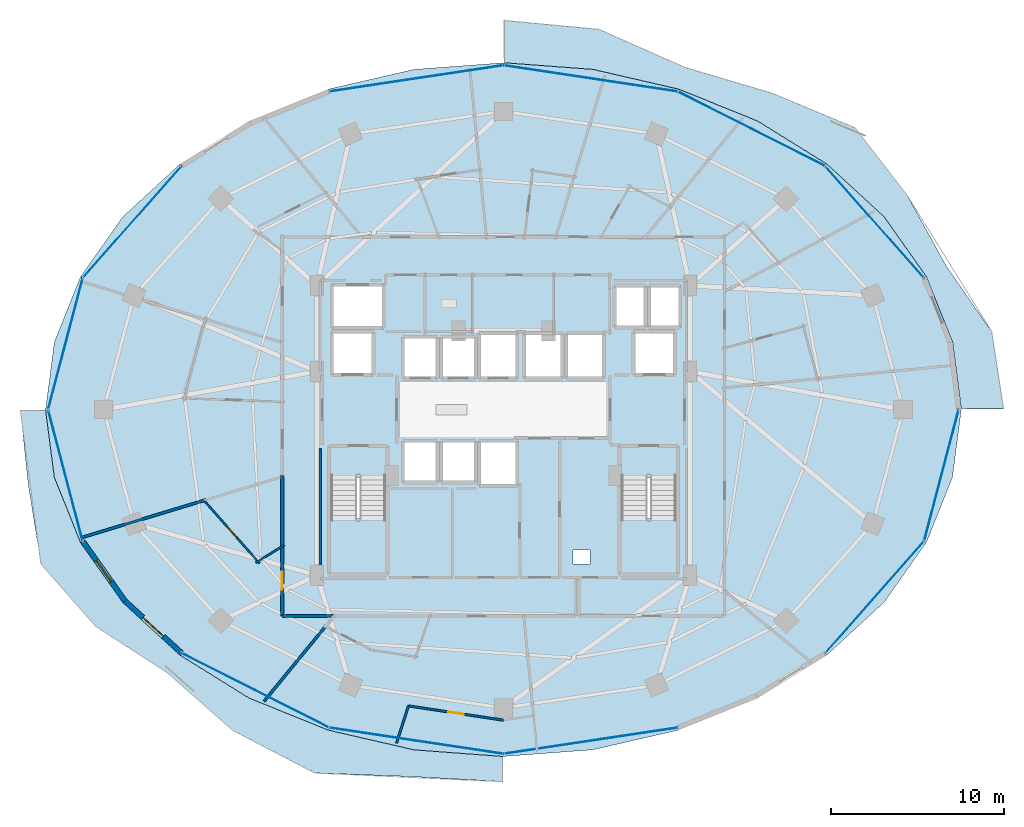
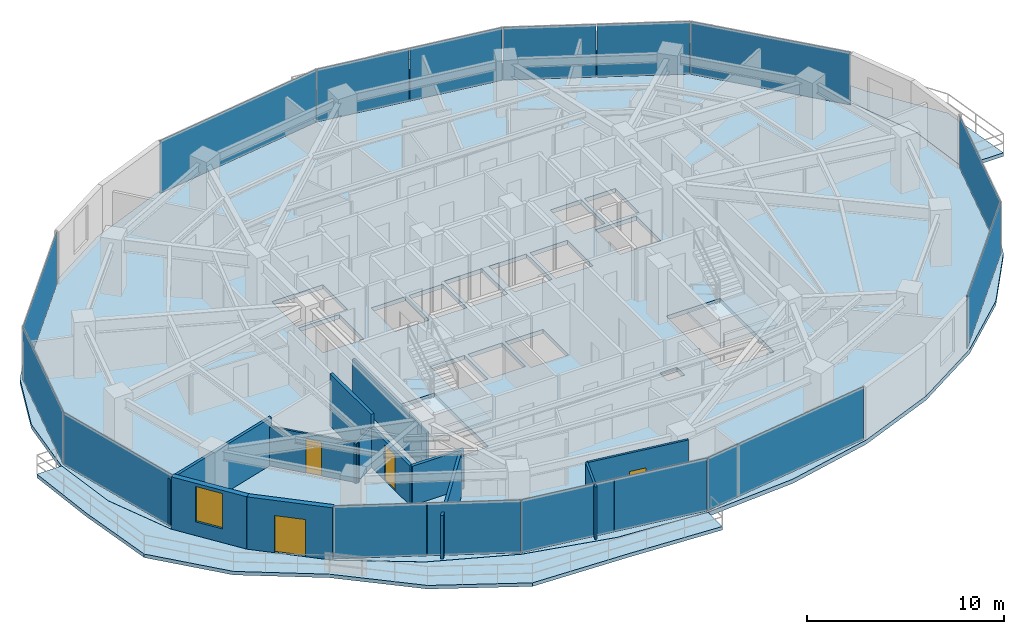
# One storey, part 21 of 29: 16 plates, 12 walls, 5 slabs, 4 doors, 1 window, 5 openings, 6 elements without a shape of their own.
"""IFC4 building model written with IfcOpenShell, lengths in metres."""

from ifc_helpers import new_model, si_unit, direction, frame, frame_2d, origin, origin_2d, place, context, subcontext, project, spatial, polyline, rectangle, outline, extrude, material, layer, layer_set, type_object, element, fill, aggregate, save


model = new_model("IFC4")

# Units and contexts
model_context = context("Model", 3, precision=1e-05, world=origin(), true_north=direction((0.0, 1.0)))
body_context = subcontext(model_context, "Body", "Model", "MODEL_VIEW")
ifc_project = project(units=[si_unit("LENGTHUNIT", "METRE"), si_unit("AREAUNIT", "SQUARE_METRE"), si_unit("VOLUMEUNIT", "CUBIC_METRE"), si_unit("PLANEANGLEUNIT", "RADIAN"), si_unit("MASSUNIT", "GRAM", prefix="KILO")], contexts=[model_context])

# Site, building, storey
site_placement = place(None, origin())
site = spatial("IfcSite", under=ifc_project, at=site_placement, CompositionType="ELEMENT")
building_placement = place(site_placement, origin())
building = spatial("IfcBuilding", under=site, at=building_placement, Name="Vorneva Point Tower", CompositionType="ELEMENT")
storey_placement = place(building_placement, frame((0.0, 0.0, 117.300048828125)))
storey = spatial("IfcBuildingStorey", under=building, at=storey_placement, Name="L31", CompositionType="ELEMENT", Elevation=117.300048828125)

# Curtain wall, plates
ifc_material_1 = material(Name="Pale anodised aluminium", Category="aluminium")
curtain_wall_type = type_object("IfcCurtainWallType", Name="CW-HTL-SYS", PredefinedType="NOTDEFINED", material=ifc_material_1)
curtain_wall_1_placement = place(storey_placement, origin())
curtain_wall_1 = element("IfcCurtainWall", 1, at=curtain_wall_1_placement, inside=storey, type_object=curtain_wall_type, Name="L31 Unitised Curtain Wall CW-L31-R01", PredefinedType="NOTDEFINED")
ifc_material_2 = material(Name="Double low-e laminated glass IGU", Category="glass")
ifc_layer_1 = layer(ifc_material_2, 0.035888671875)
ifc_layer_set_1 = layer_set([ifc_layer_1], Name="Double low-e laminated glass IGU")
plate_type = type_object("IfcPlateType", Name="CW-PNL-VIS", PredefinedType="CURTAIN_PANEL", material=ifc_layer_set_1)
plate_1_placement = place(storey_placement, frame((59.40673828125, 36.816162109375, -0.02001953125), z_axis=(0.0, 0.0, 1.0), x_axis=(-0.662149334693, 0.749371909379, 0.0)))
plate_1 = element("IfcPlate", 2, at=plate_1_placement, type_object=plate_type, Name="CW-L31-R01 Glazed Panel 01", PredefinedType="CURTAIN_PANEL", context=body_context, shape_type="SweptSolid", body=[
    extrude(rectangle(XDim=8.543701171875, YDim=0.035888671875, at=origin_2d()), origin(), (0.0, 0.0, 1.0), 3.280029296875),
])
plate_2_placement = place(storey_placement, frame((54.4326171875, 41.11181640625, -0.02001953125), z_axis=(0.0, 0.0, 1.0), x_axis=(-0.892538597772, 0.450971009585, 0.0)))
plate_2 = element("IfcPlate", 3, at=plate_2_placement, type_object=plate_type, Name="CW-L31-R01 Glazed Panel 02A", PredefinedType="CURTAIN_PANEL", context=body_context, shape_type="SweptSolid", body=[
    extrude(rectangle(XDim=4.720703125, YDim=0.035888671875, at=origin_2d()), origin(), (0.0, 0.0, 1.0), 3.280029296875),
])
plate_3_placement = place(storey_placement, frame((50.174560546875, 43.26318359375, -0.02001953125), z_axis=(0.0, 0.0, 1.0), x_axis=(-0.892538597772, 0.450971009585, 0.0)))
plate_3 = element("IfcPlate", 4, at=plate_3_placement, type_object=plate_type, Name="CW-L31-R01 Glazed Panel 02B", PredefinedType="CURTAIN_PANEL", context=body_context, shape_type="SweptSolid", body=[
    extrude(rectangle(XDim=4.720703125, YDim=0.035888671875, at=origin_2d()), origin(), (0.0, 0.0, 1.0), 3.280029296875),
])
plate_4_placement = place(storey_placement, frame((45.5341796875, 44.716796875, -0.02001953125), z_axis=(0.0, 0.0, 1.0), x_axis=(-0.988876117041, 0.148741470836, 0.0)))
plate_4 = element("IfcPlate", 5, at=plate_4_placement, type_object=plate_type, Name="CW-L31-R01 Glazed Panel 03A", PredefinedType="CURTAIN_PANEL", context=body_context, shape_type="SweptSolid", body=[
    extrude(rectangle(XDim=5.029296875, YDim=0.035888671875, at=origin_2d()), origin(), (0.0, 0.0, 1.0), 3.280029296875),
])
plate_5_placement = place(storey_placement, frame((40.511474609375, 45.472412109375, -0.02001953125), z_axis=(0.0, 0.0, 1.0), x_axis=(-0.988876117041, 0.148741470836, 0.0)))
plate_5 = element("IfcPlate", 6, at=plate_5_placement, type_object=plate_type, Name="CW-L31-R01 Glazed Panel 03B", PredefinedType="CURTAIN_PANEL", context=body_context, shape_type="SweptSolid", body=[
    extrude(rectangle(XDim=5.029296875, YDim=0.035888671875, at=origin_2d()), origin(), (0.0, 0.0, 1.0), 3.280029296875),
])
plate_6_placement = place(storey_placement, frame((32.977294921875, 45.094482421875, -0.02001953125), z_axis=(0.0, 0.0, 1.0), x_axis=(-0.988876117041, -0.148741470836, 0.0)))
plate_6 = element("IfcPlate", 7, at=plate_6_placement, type_object=plate_type, Name="CW-L31-R01 Glazed Panel 04", PredefinedType="CURTAIN_PANEL", context=body_context, shape_type="SweptSolid", body=[
    extrude(rectangle(XDim=10.1083984375, YDim=0.035888671875, at=origin_2d()), origin(), (0.0, 0.0, 1.0), 3.280029296875),
])
aggregate(curtain_wall_1, [plate_1, plate_2, plate_3, plate_4, plate_5, plate_6])

curtain_wall_2_placement = place(storey_placement, origin())
curtain_wall_2 = element("IfcCurtainWall", 8, at=curtain_wall_2_placement, inside=storey, type_object=curtain_wall_type, Name="L31 Unitised Curtain Wall CW-L31-R02", PredefinedType="NOTDEFINED")
plate_7_placement = place(storey_placement, frame((16.59326171875, 36.816162109375, -0.02001953125), z_axis=(0.0, 0.0, 1.0), x_axis=(-0.662149334693, -0.749371909379, 0.0)))
plate_7 = element("IfcPlate", 9, at=plate_7_placement, type_object=plate_type, Name="CW-L31-R02 Glazed Panel 01", PredefinedType="CURTAIN_PANEL", context=body_context, shape_type="SweptSolid", body=[
    extrude(rectangle(XDim=8.543701171875, YDim=0.035888671875, at=origin_2d()), origin(), (0.0, 0.0, 1.0), 3.280029296875),
])
plate_8_placement = place(storey_placement, frame((12.7490234375, 29.798095703125, -0.02001953125), z_axis=(0.0, 0.0, 1.0), x_axis=(-0.254399404995, -0.967099241411, 0.0)))
plate_8 = element("IfcPlate", 10, at=plate_8_placement, type_object=plate_type, Name="CW-L31-R02 Glazed Panel 02", PredefinedType="CURTAIN_PANEL", context=body_context, shape_type="SweptSolid", body=[
    extrude(rectangle(XDim=7.8046875, YDim=0.035888671875, at=origin_2d()), origin(), (0.0, 0.0, 1.0), 3.280029296875),
])
plate_9_placement = place(storey_placement, frame((12.7490234375, 22.201904296875, -0.02001953125), z_axis=(0.0, 0.0, 1.0), x_axis=(0.254399404995, -0.967099241411, 0.0)))
plate_9 = element("IfcPlate", 11, at=plate_9_placement, type_object=plate_type, Name="CW-L31-R02 Glazed Panel 03", PredefinedType="CURTAIN_PANEL", context=body_context, shape_type="SweptSolid", body=[
    extrude(rectangle(XDim=7.8046875, YDim=0.035888671875, at=origin_2d()), origin(), (0.0, 0.0, 1.0), 3.280029296875),
])
aggregate(curtain_wall_2, [plate_7, plate_8, plate_9])

curtain_wall_3_placement = place(storey_placement, origin())
curtain_wall_3 = element("IfcCurtainWall", 12, at=curtain_wall_3_placement, inside=storey, type_object=curtain_wall_type, Name="L31 Unitised Curtain Wall CW-L31-R03", PredefinedType="NOTDEFINED")
plate_10_placement = place(storey_placement, frame((21.5673828125, 10.88818359375, -0.02001953125), z_axis=(0.0, 0.0, 1.0), x_axis=(0.892538597772, -0.450971009585, 0.0)))
plate_10 = element("IfcPlate", 13, at=plate_10_placement, type_object=plate_type, Name="CW-L31-R03 Glazed Panel 01A", PredefinedType="CURTAIN_PANEL", context=body_context, shape_type="SweptSolid", body=[
    extrude(rectangle(XDim=4.720703125, YDim=0.035888671875, at=origin_2d()), origin(), (0.0, 0.0, 1.0), 3.280029296875),
])
plate_11_placement = place(storey_placement, frame((25.825439453125, 8.73681640625, -0.02001953125), z_axis=(0.0, 0.0, 1.0), x_axis=(0.892538597772, -0.450971009585, 0.0)))
plate_11 = element("IfcPlate", 14, at=plate_11_placement, type_object=plate_type, Name="CW-L31-R03 Glazed Panel 01B", PredefinedType="CURTAIN_PANEL", context=body_context, shape_type="SweptSolid", body=[
    extrude(rectangle(XDim=4.720703125, YDim=0.035888671875, at=origin_2d()), origin(), (0.0, 0.0, 1.0), 3.280029296875),
])
plate_12_placement = place(storey_placement, frame((30.4658203125, 7.283203125, -0.02001953125), z_axis=(0.0, 0.0, 1.0), x_axis=(0.988876117041, -0.148741470836, 0.0)))
plate_12 = element("IfcPlate", 15, at=plate_12_placement, type_object=plate_type, Name="CW-L31-R03 Glazed Panel 02A", PredefinedType="CURTAIN_PANEL", context=body_context, shape_type="SweptSolid", body=[
    extrude(rectangle(XDim=5.029296875, YDim=0.035888671875, at=origin_2d()), origin(), (0.0, 0.0, 1.0), 3.280029296875),
])
plate_13_placement = place(storey_placement, frame((35.488525390625, 6.52783203125, -0.02001953125), z_axis=(0.0, 0.0, 1.0), x_axis=(0.988876117041, -0.148741470836, 0.0)))
plate_13 = element("IfcPlate", 16, at=plate_13_placement, type_object=plate_type, Name="CW-L31-R03 Glazed Panel 02B", PredefinedType="CURTAIN_PANEL", context=body_context, shape_type="SweptSolid", body=[
    extrude(rectangle(XDim=5.029296875, YDim=0.035888671875, at=origin_2d()), origin(), (0.0, 0.0, 1.0), 3.280029296875),
])
plate_14_placement = place(storey_placement, frame((43.022705078125, 6.905517578125, -0.02001953125), z_axis=(0.0, 0.0, 1.0), x_axis=(0.988876117041, 0.148741470836, 0.0)))
plate_14 = element("IfcPlate", 17, at=plate_14_placement, type_object=plate_type, Name="CW-L31-R03 Glazed Panel 03", PredefinedType="CURTAIN_PANEL", context=body_context, shape_type="SweptSolid", body=[
    extrude(rectangle(XDim=10.1083984375, YDim=0.035888671875, at=origin_2d()), origin(), (0.0, 0.0, 1.0), 3.280029296875),
])
aggregate(curtain_wall_3, [plate_10, plate_11, plate_12, plate_13, plate_14])

curtain_wall_4_placement = place(storey_placement, origin())
curtain_wall_4 = element("IfcCurtainWall", 18, at=curtain_wall_4_placement, inside=storey, type_object=curtain_wall_type, Name="L31 Unitised Curtain Wall CW-L31-R04", PredefinedType="NOTDEFINED")
plate_15_placement = place(storey_placement, frame((59.40673828125, 15.183837890625, -0.02001953125), z_axis=(0.0, 0.0, 1.0), x_axis=(0.662149334693, 0.749371909379, 0.0)))
plate_15 = element("IfcPlate", 19, at=plate_15_placement, type_object=plate_type, Name="CW-L31-R04 Glazed Panel 01", PredefinedType="CURTAIN_PANEL", context=body_context, shape_type="SweptSolid", body=[
    extrude(rectangle(XDim=8.543701171875, YDim=0.035888671875, at=origin_2d()), origin(), (0.0, 0.0, 1.0), 3.280029296875),
])
plate_16_placement = place(storey_placement, frame((63.2509765625, 22.201904296875, -0.02001953125), z_axis=(0.0, 0.0, 1.0), x_axis=(0.254399404995, 0.967099241411, 0.0)))
plate_16 = element("IfcPlate", 20, at=plate_16_placement, type_object=plate_type, Name="CW-L31-R04 Glazed Panel 02", PredefinedType="CURTAIN_PANEL", context=body_context, shape_type="SweptSolid", body=[
    extrude(rectangle(XDim=7.8046875, YDim=0.035888671875, at=origin_2d()), origin(), (0.0, 0.0, 1.0), 3.280029296875),
])
aggregate(curtain_wall_4, [plate_15, plate_16])

# Slabs
ifc_material_3 = material(Name="Concrete B50 (C40/50)", Category="concrete")
ifc_layer_2 = layer(ifc_material_3, 0.219970703125)
ifc_layer_set_2 = layer_set([ifc_layer_2], Name="Concrete B50 (C40/50)")
slab_type_1 = type_object("IfcSlabType", Name="SLB-BAL-220", PredefinedType="FLOOR", material=ifc_layer_set_2)
slab_1_placement = place(storey_placement, frame((0.0, 0.0, -0.219970703125)))
element("IfcSlab", 21, at=slab_1_placement, inside=storey, type_object=slab_type_1, Name="L31 Cantilevered Wave Balcony NE", PredefinedType="FLOOR", context=body_context, shape_type="SweptSolid", body=[
    extrude(outline(polyline([(38.050048828125, 48.440185546875), (38.050048828125, 46.000244140625), (43.150634765625, 45.61962890625), (43.15087890625, 45.61962890625), (43.1513671875, 45.61962890625), (48.103759765625, 44.4814453125), (48.10400390625, 44.4814453125), (48.104248046875, 44.481201171875), (52.668701171875, 42.633056640625), (52.6689453125, 42.633056640625), (52.669189453125, 42.6328125), (56.669677734375, 40.1455078125), (56.669921875, 40.145263671875), (56.67041015625, 40.14501953125), (59.95361328125, 37.1142578125), (59.953857421875, 37.114013671875), (59.9541015625, 37.11376953125), (62.393798828125, 33.656005859375), (62.393798828125, 33.655517578125), (62.39404296875, 33.6552734375), (63.896484375, 29.9033203125), (63.896484375, 29.903076171875), (63.896484375, 29.902587890625), (63.896728515625, 29.90234375), (64.3974609375, 26.050048828125), (66.83740234375, 26.050048828125), (66.155029296875, 30.495849609375), (63.533935546875, 34.27880859375), (61.310791015625, 38.310791015625), (58.267822265625, 42.25439453125), (53.486083984375, 44.247314453125), (48.4931640625, 45.72119140625), (43.498779296875, 47.928466796875), (38.050048828125, 48.440185546875)])), origin(), (0.0, 0.0, 1.0), 0.219970703125),
])
slab_2_placement = place(storey_placement, frame((0.0, 0.0, -0.219970703125)))
element("IfcSlab", 22, at=slab_2_placement, inside=storey, type_object=slab_type_1, Name="L31 Cantilevered Wave Balcony SW", PredefinedType="FLOOR", context=body_context, shape_type="SweptSolid", body=[
    extrude(outline(polyline([(37.949951171875, 4.547607421875), (37.949951171875, 5.999755859375), (32.849365234375, 6.38037109375), (32.84912109375, 6.38037109375), (32.8486328125, 6.38037109375), (27.896240234375, 7.5185546875), (27.89599609375, 7.5185546875), (27.895751953125, 7.518798828125), (23.331298828125, 9.366943359375), (23.3310546875, 9.366943359375), (23.330810546875, 9.3671875), (19.330322265625, 11.8544921875), (19.330078125, 11.854736328125), (19.32958984375, 11.85498046875), (16.04638671875, 14.8857421875), (16.046142578125, 14.885986328125), (16.0458984375, 14.88623046875), (13.606201171875, 18.343994140625), (13.606201171875, 18.344482421875), (13.60595703125, 18.3447265625), (12.103515625, 22.0966796875), (12.103515625, 22.096923828125), (12.103515625, 22.097412109375), (12.103271484375, 22.09765625), (11.6025390625, 25.949951171875), (10.150390625, 25.949951171875), (10.597412109375, 21.70166015625), (11.331298828125, 17.1005859375), (14.484375, 13.50830078125), (18.57763671875, 10.861572265625), (22.390625, 7.509033203125), (27.11962890625, 5.044921875), (32.616943359375, 4.840576171875), (37.949951171875, 4.547607421875)])), origin(), (0.0, 0.0, 1.0), 0.219970703125),
])

# Stair, slab
stair_type = type_object("IfcStairType", Name="ST-DOG-1500", PredefinedType="HALF_TURN_STAIR", material=ifc_material_3)
stair_1_placement = place(storey_placement, origin())
stair_1 = element("IfcStair", 23, at=stair_1_placement, inside=storey, type_object=stair_type, Name="L31 ST1", PredefinedType="HALF_TURN_STAIR")
ifc_layer_3 = layer(ifc_material_3, 0.199951171875)
ifc_layer_set_3 = layer_set([ifc_layer_3], Name="Concrete B50 (C40/50)")
slab_type_2 = type_object("IfcSlabType", Name="SLB-LND-200", PredefinedType="LANDING", material=ifc_layer_set_3)
slab_3_placement = place(storey_placement, frame((0.0, 0.0, 1.550048828125)))
slab_3 = element("IfcSlab", 24, at=slab_3_placement, type_object=slab_type_2, Name="ST1 landing 1", PredefinedType="LANDING", context=body_context, shape_type="SweptSolid", body=[
    extrude(outline(polyline([(27.929931640625, 16.47998046875), (31.320068359375, 16.47998046875), (31.320068359375, 19.72998046875), (27.929931640625, 19.72998046875), (27.929931640625, 16.47998046875)])), origin(), (0.0, 0.0, 1.0), 0.199951171875),
])
aggregate(stair_1, [slab_3])

stair_2_placement = place(storey_placement, origin())
stair_2 = element("IfcStair", 25, at=stair_2_placement, inside=storey, type_object=stair_type, Name="L31 ST2", PredefinedType="HALF_TURN_STAIR")
slab_4_placement = place(storey_placement, frame((0.0, 0.0, 1.550048828125)))
slab_4 = element("IfcSlab", 26, at=slab_4_placement, type_object=slab_type_2, Name="ST2 landing 1", PredefinedType="LANDING", context=body_context, shape_type="SweptSolid", body=[
    extrude(outline(polyline([(44.679931640625, 16.47998046875), (48.070068359375, 16.47998046875), (48.070068359375, 19.72998046875), (44.679931640625, 19.72998046875), (44.679931640625, 16.47998046875)])), origin(), (0.0, 0.0, 1.0), 0.199951171875),
])
aggregate(stair_2, [slab_4])

# Slab
ifc_layer_4 = layer(ifc_material_3, 0.260009765625)
ifc_layer_set_4 = layer_set([ifc_layer_4], Name="Concrete B50 (C40/50)")
slab_type_3 = type_object("IfcSlabType", Name="SLB-TYP-260", PredefinedType="FLOOR", material=ifc_layer_set_4)
slab_5_placement = place(storey_placement, frame((0.0, 0.0, -0.260009765625)))
element("IfcSlab", 27, at=slab_5_placement, inside=storey, type_object=slab_type_3, Name="L31 Structural Floor Plate", PredefinedType="FLOOR", context=body_context, shape_type="SweptSolid", body=[
    extrude(outline(polyline([(64.39990234375, 26.0), (63.892578125, 29.90185546875), (62.390380859375, 33.65380859375), (59.95068359375, 37.111328125), (56.66748046875, 40.14208984375), (52.6669921875, 42.62939453125), (48.102783203125, 44.4775390625), (43.150390625, 45.61572265625), (38.0, 46.0), (32.849609375, 45.61572265625), (27.897216796875, 44.4775390625), (23.3330078125, 42.62939453125), (19.33251953125, 40.14208984375), (16.04931640625, 37.111328125), (13.609619140625, 33.65380859375), (12.107421875, 29.90185546875), (11.60009765625, 26.0), (12.107421875, 22.09814453125), (13.609619140625, 18.34619140625), (16.04931640625, 14.888671875), (19.33251953125, 11.85791015625), (23.3330078125, 9.37060546875), (27.897216796875, 7.5224609375), (32.849609375, 6.38427734375), (38.0, 6.0), (43.150390625, 6.38427734375), (48.102783203125, 7.5224609375), (52.6669921875, 9.37060546875), (56.66748046875, 11.85791015625), (59.95068359375, 14.888671875), (62.390380859375, 18.34619140625), (63.892578125, 22.09814453125), (64.39990234375, 26.0)]), holes=[polyline([(32.199951171875, 27.800048828125), (34.199951171875, 27.800048828125), (34.199951171875, 30.199951171875), (32.199951171875, 30.199951171875), (32.199951171875, 27.800048828125)]), polyline([(34.39990234375, 27.800048828125), (36.39990234375, 27.800048828125), (36.39990234375, 30.199951171875), (34.39990234375, 30.199951171875), (34.39990234375, 27.800048828125)]), polyline([(36.60009765625, 27.800048828125), (38.800048828125, 27.800048828125), (38.800048828125, 30.39990234375), (36.60009765625, 30.39990234375), (36.60009765625, 27.800048828125)]), polyline([(32.199951171875, 21.800048828125), (34.199951171875, 21.800048828125), (34.199951171875, 24.199951171875), (32.199951171875, 24.199951171875), (32.199951171875, 21.800048828125)]), polyline([(34.39990234375, 21.800048828125), (36.39990234375, 21.800048828125), (36.39990234375, 24.199951171875), (34.39990234375, 24.199951171875), (34.39990234375, 21.800048828125)]), polyline([(36.60009765625, 21.60009765625), (38.800048828125, 21.60009765625), (38.800048828125, 24.199951171875), (36.60009765625, 24.199951171875), (36.60009765625, 21.60009765625)]), polyline([(39.199951171875, 27.800048828125), (41.39990234375, 27.800048828125), (41.39990234375, 30.39990234375), (39.199951171875, 30.39990234375), (39.199951171875, 27.800048828125)]), polyline([(41.60009765625, 27.800048828125), (43.800048828125, 27.800048828125), (43.800048828125, 30.39990234375), (41.60009765625, 30.39990234375), (41.60009765625, 27.800048828125)]), polyline([(44.39990234375, 30.739990234375), (46.199951171875, 30.739990234375), (46.199951171875, 33.159912109375), (44.39990234375, 33.159912109375), (44.39990234375, 30.739990234375)]), polyline([(46.39990234375, 30.739990234375), (48.199951171875, 30.739990234375), (48.199951171875, 33.159912109375), (46.39990234375, 33.159912109375), (46.39990234375, 30.739990234375)]), polyline([(28.10009765625, 28.0), (30.5, 28.0), (30.5, 30.5), (28.10009765625, 30.5), (28.10009765625, 28.0)]), polyline([(45.5, 28.0), (47.89990234375, 28.0), (47.89990234375, 30.5), (45.5, 30.5), (45.5, 28.0)]), polyline([(28.10009765625, 30.699951171875), (31.10009765625, 30.699951171875), (31.10009765625, 33.199951171875), (28.10009765625, 33.199951171875), (28.10009765625, 30.699951171875)]), polyline([(28.050048828125, 16.60009765625), (31.199951171875, 16.60009765625), (31.199951171875, 22.080078125), (28.050048828125, 22.080078125), (28.050048828125, 16.60009765625)]), polyline([(44.800048828125, 16.60009765625), (47.949951171875, 16.60009765625), (47.949951171875, 22.080078125), (44.800048828125, 22.080078125), (44.800048828125, 16.60009765625)]), polyline([(42.0, 17.10009765625), (43.0, 17.10009765625), (43.0, 17.89990234375), (42.0, 17.89990234375), (42.0, 17.10009765625)])]), origin(), (0.0, 0.0, 1.0), 0.260009765625),
])

# Wall, opening, window
ifc_material_4 = material(Name="Precast concrete B50 (C40/50)", Category="concrete")
ifc_layer_5 = layer(ifc_material_4, 0.300048828125)
ifc_layer_set_5 = layer_set([ifc_layer_5], Name="Precast concrete B50 (C40/50)")
wall_type_1 = type_object("IfcWallType", Name="WL-EXT-300", PredefinedType="STANDARD", material=ifc_layer_set_5)
wall_1_placement = place(storey_placement, frame((13.748291015625, 18.40380859375, 0.0), z_axis=(0.0, 0.0, 1.0), x_axis=(0.57716435238, -0.81662801222, 0.0)))
wall_1 = element("IfcWall", 28, at=wall_1_placement, inside=storey, type_object=wall_type_1, Name="L31 Pale-Metal Facade Spandrel Wall 10.1", PredefinedType="STANDARD", context=body_context, shape_type="SweptSolid", body=[
    extrude(rectangle(XDim=4.202392578125, YDim=0.300048828125, at=frame_2d((2.10107421875, 0.0))), origin(), (0.0, 0.0, 1.0), 3.239990234375),
])
opening_1_placement = place(wall_1_placement, frame((1.351318359375, 0.0, 0.85009765625)))
opening_1 = element("IfcOpeningElement", 29, at=opening_1_placement, cuts=wall_1, Name="Opening W-02", PredefinedType="OPENING", context=body_context, shape_type="SweptSolid", body=[
    extrude(rectangle(XDim=1.5, YDim=2.18994140625, at=frame_2d((0.75, 1.094970703125))), frame((0.0, 0.1650390625, 0.0), z_axis=(0.0, -1.0, 0.0), x_axis=(1.0, 0.0, 0.0)), (0.0, 0.0, 1.0), 0.329833984375),
])
window_type = type_object("IfcWindowType", Name="WN-HTL-1500", PartitioningType="SINGLE_PANEL", PredefinedType="WINDOW", material=ifc_material_2)
window_placement = place(opening_1_placement, origin())
window = element("IfcWindow", 30, at=window_placement, inside=storey, type_object=window_type, Name="L31 Facade Window 10", OverallHeight=2.18994140625, OverallWidth=1.5, PartitioningType="SINGLE_PANEL", PredefinedType="WINDOW", context=body_context, shape_type="SweptSolid", body=[
    extrude(rectangle(XDim=1.5, YDim=2.18994140625, at=frame_2d((0.75, 1.094970703125))), frame((0.0, 0.030029296875, 0.0), z_axis=(0.0, -1.0, 0.0), x_axis=(1.0, 0.0, 0.0)), (0.0, 0.0, 1.0), 0.06005859375),
])
fill(opening_1, window)

# Wall, opening, door
wall_2_placement = place(storey_placement, frame((16.173828125, 14.971923828125, 0.0), z_axis=(0.0, 0.0, 1.0), x_axis=(0.735416718093, -0.677615119924, 0.0)))
wall_2 = element("IfcWall", 31, at=wall_2_placement, inside=storey, type_object=wall_type_1, Name="L31 Pale-Metal Facade Spandrel Wall 10.2", PredefinedType="STANDARD", context=body_context, shape_type="SweptSolid", body=[
    extrude(rectangle(XDim=4.439208984375, YDim=0.300048828125, at=frame_2d((2.2197265625, 0.0))), origin(), (0.0, 0.0, 1.0), 3.239990234375),
])
opening_2_placement = place(wall_2_placement, frame((1.41943359375, 0.0, 0.0)))
opening_2 = element("IfcOpeningElement", 32, at=opening_2_placement, cuts=wall_2, Name="Opening BD-01", PredefinedType="OPENING", context=body_context, shape_type="SweptSolid", body=[
    extrude(rectangle(XDim=1.60009765625, YDim=2.300048828125, at=frame_2d((0.800048828125, 1.14990234375))), frame((0.0, 0.1650390625, 0.0), z_axis=(0.0, -1.0, 0.0), x_axis=(1.0, 0.0, 0.0)), (0.0, 0.0, 1.0), 0.329833984375),
])
door_type_1 = type_object("IfcDoorType", Name="DR-BAL-1600", OperationType="SLIDING_TO_LEFT", PredefinedType="DOOR", material=ifc_material_1)
door_1_placement = place(opening_2_placement, origin())
door_1 = element("IfcDoor", 33, at=door_1_placement, inside=storey, type_object=door_type_1, Name="L31 Balcony Terrace Access Door 10", OperationType="SLIDING_TO_LEFT", OverallHeight=2.300048828125, OverallWidth=1.60009765625, PredefinedType="DOOR", context=body_context, shape_type="SweptSolid", body=[
    extrude(rectangle(XDim=1.60009765625, YDim=2.300048828125, at=frame_2d((0.800048828125, 1.14990234375))), frame((0.0, 0.02490234375, 0.0), z_axis=(0.0, -1.0, 0.0), x_axis=(1.0, 0.0, 0.0)), (0.0, 0.0, 1.0), 0.050048828125),
])
fill(opening_2, door_1)

# Wall
ifc_material_5 = material(Name="Fire-rated acoustic gypsum stud partition", Category="gypsum")
ifc_layer_6 = layer(ifc_material_5, 0.110107421875)
ifc_layer_set_6 = layer_set([ifc_layer_6], Name="Fire-rated acoustic gypsum stud partition")
wall_type_2 = type_object("IfcWallType", Name="WL-PART-110", PredefinedType="PARTITIONING", material=ifc_layer_set_6)
wall_3_placement = place(storey_placement, frame((25.369140625, 18.191650390625, 0.0), z_axis=(0.0, 0.0, 1.0), x_axis=(-0.850587393094, -0.525833706328, 0.0)))
element("IfcWall", 34, at=wall_3_placement, inside=storey, type_object=wall_type_2, Name="L31 Interior Partition 077", PredefinedType="PARTITIONING", context=body_context, shape_type="SweptSolid", body=[
    extrude(rectangle(XDim=1.9365234375, YDim=0.110107421875, at=frame_2d((0.96826171875, 0.0))), origin(), (0.0, 0.0, 1.0), 2.431884765625),
])

# Wall, opening, door
wall_4_placement = place(storey_placement, frame((23.93359375, 17.14208984375, 0.0), z_axis=(0.0, 0.0, 1.0), x_axis=(-0.662103338525, 0.749412549344, 0.0)))
wall_4 = element("IfcWall", 35, at=wall_4_placement, inside=storey, type_object=wall_type_2, Name="L31 Interior Partition 078", PredefinedType="PARTITIONING", context=body_context, shape_type="SweptSolid", body=[
    extrude(rectangle(XDim=4.792724609375, YDim=0.110107421875, at=frame_2d((2.396484375, 0.0))), origin(), (0.0, 0.0, 1.0), 2.431884765625),
])
opening_3_placement = place(wall_4_placement, frame((1.971435546875, 0.0, 0.0)))
opening_3 = element("IfcOpeningElement", 36, at=opening_3_placement, cuts=wall_4, Name="Opening ID-02", PredefinedType="OPENING", context=body_context, shape_type="SweptSolid", body=[
    extrude(rectangle(XDim=0.85009765625, YDim=2.10009765625, at=frame_2d((0.425048828125, 1.050048828125))), frame((0.0, 0.06982421875, 0.0), z_axis=(0.0, -1.0, 0.0), x_axis=(1.0, 0.0, 0.0)), (0.0, 0.0, 1.0), 0.139892578125),
])
ifc_material_6 = material(Name="Engineered oak fire-rated door leaf", Category="wood")
door_type_2 = type_object("IfcDoorType", Name="DR-BATH-850", OperationType="NOTDEFINED", PredefinedType="DOOR", material=ifc_material_6)
door_2_placement = place(opening_3_placement, origin())
door_2 = element("IfcDoor", 37, at=door_2_placement, inside=storey, type_object=door_type_2, Name="L31 Door Executive Suite L31-08 / En-Suite Bathroom L31-08", OperationType="SINGLE_SWING_RIGHT", OverallHeight=2.10009765625, OverallWidth=0.85009765625, PredefinedType="DOOR", context=body_context, shape_type="SweptSolid", body=[
    extrude(rectangle(XDim=0.85009765625, YDim=2.10009765625, at=frame_2d((0.425048828125, 1.050048828125))), frame((0.0, 0.02490234375, 0.0), z_axis=(0.0, -1.0, 0.0), x_axis=(1.0, 0.0, 0.0)), (0.0, 0.0, 1.0), 0.050048828125),
])
fill(opening_3, door_2)

# Wall
ifc_layer_7 = layer(ifc_material_5, 0.125)
ifc_layer_set_7 = layer_set([ifc_layer_7], Name="Fire-rated acoustic gypsum stud partition")
wall_type_3 = type_object("IfcWallType", Name="WL-PART-125", PredefinedType="PARTITIONING", material=ifc_layer_set_7)
wall_5_placement = place(storey_placement, frame((31.8359375, 6.77099609375, 0.0), z_axis=(0.0, 0.0, 1.0), x_axis=(0.305019563363, 0.952346085184, 0.0)))
element("IfcWall", 38, at=wall_5_placement, inside=storey, type_object=wall_type_3, Name="L31 Interior Partition 084", PredefinedType="PARTITIONING", context=body_context, shape_type="SweptSolid", body=[
    extrude(rectangle(XDim=2.25244140625, YDim=0.125, at=frame_2d((1.126220703125, 0.0))), origin(), (0.0, 0.0, 1.0), 3.239990234375),
])

# Wall, opening, door
wall_6_placement = place(storey_placement, frame((32.52294921875, 8.916015625, 0.0), z_axis=(0.0, 0.0, 1.0), x_axis=(0.988872243588, -0.148767220385, 0.0)))
wall_6 = element("IfcWall", 39, at=wall_6_placement, inside=storey, type_object=wall_type_3, Name="L31 Interior Partition 085", PredefinedType="PARTITIONING", context=body_context, shape_type="SweptSolid", body=[
    extrude(rectangle(XDim=5.53857421875, YDim=0.125, at=frame_2d((2.769287109375, 0.0))), origin(), (0.0, 0.0, 1.0), 3.239990234375),
])
opening_4_placement = place(wall_6_placement, frame((2.3193359375, 0.0, 0.0)))
opening_4 = element("IfcOpeningElement", 40, at=opening_4_placement, cuts=wall_6, Name="Opening ID-01", PredefinedType="OPENING", context=body_context, shape_type="SweptSolid", body=[
    extrude(rectangle(XDim=0.89990234375, YDim=2.10009765625, at=frame_2d((0.449951171875, 1.050048828125))), frame((0.0, 0.077392578125, 0.0), z_axis=(0.0, -1.0, 0.0), x_axis=(1.0, 0.0, 0.0)), (0.0, 0.0, 1.0), 0.15478515625),
])
door_type_3 = type_object("IfcDoorType", Name="DR-ROOM-900", OperationType="NOTDEFINED", PredefinedType="DOOR", material=ifc_material_6)
door_3_placement = place(opening_4_placement, origin())
door_3 = element("IfcDoor", 41, at=door_3_placement, inside=storey, type_object=door_type_3, Name="L31 Door Corner Suite L31-09 / Suite Sitting Study L31-09", OperationType="SINGLE_SWING_RIGHT", OverallHeight=2.10009765625, OverallWidth=0.89990234375, PredefinedType="DOOR", context=body_context, shape_type="SweptSolid", body=[
    extrude(rectangle(XDim=0.89990234375, YDim=2.10009765625, at=frame_2d((0.449951171875, 1.050048828125))), frame((0.0, 0.02490234375, 0.0), z_axis=(0.0, -1.0, 0.0), x_axis=(1.0, 0.0, 0.0)), (0.0, 0.0, 1.0), 0.050048828125),
])
fill(opening_4, door_3)

# Walls
ifc_layer_8 = layer(ifc_material_5, 0.139892578125)
ifc_layer_set_8 = layer_set([ifc_layer_8], Name="Fire-rated acoustic gypsum stud partition")
wall_type_4 = type_object("IfcWallType", Name="WL-PART-140", PredefinedType="PARTITIONING", material=ifc_layer_set_8)
wall_7_placement = place(storey_placement, frame((27.449951171875, 16.239990234375, 0.0), z_axis=(0.0, 0.0, 1.0), x_axis=(0.0, 1.0, 0.0)))
element("IfcWall", 42, at=wall_7_placement, inside=storey, type_object=wall_type_4, Name="L31 Interior Closure Partition 104", PredefinedType="PARTITIONING", context=body_context, shape_type="SweptSolid", body=[
    extrude(rectangle(XDim=7.513916015625, YDim=0.139892578125, at=frame_2d((3.7568359375, 0.0))), origin(), (0.0, 0.0, 1.0), 2.431884765625),
])
ifc_layer_9 = layer(ifc_material_5, 0.159912109375)
ifc_layer_set_9 = layer_set([ifc_layer_9], Name="Fire-rated acoustic gypsum stud partition")
wall_type_5 = type_object("IfcWallType", Name="WL-PART-160", PredefinedType="PARTITIONING", material=ifc_layer_set_9)
wall_8_placement = place(storey_placement, frame((13.6630859375, 18.616943359375, 0.0), z_axis=(0.0, 0.0, 1.0), x_axis=(0.956933827214, 0.290306132098, 0.0)))
element("IfcWall", 43, at=wall_8_placement, inside=storey, type_object=wall_type_5, Name="L31 Interior Partition 075", PredefinedType="PARTITIONING", context=body_context, shape_type="SweptSolid", body=[
    extrude(rectangle(XDim=7.530029296875, YDim=0.159912109375, at=frame_2d((3.76513671875, 0.0))), origin(), (0.0, 0.0, 1.0), 2.928955078125),
])
wall_9_placement = place(storey_placement, frame((24.197998046875, 9.181884765625, 0.0), z_axis=(0.0, 0.0, 1.0), x_axis=(0.634365086516, 0.773033593713, 0.0)))
element("IfcWall", 44, at=wall_9_placement, inside=storey, type_object=wall_type_5, Name="L31 Interior Partition 079", PredefinedType="PARTITIONING", context=body_context, shape_type="SweptSolid", body=[
    extrude(rectangle(XDim=5.634033203125, YDim=0.159912109375, at=frame_2d((2.81689453125, 0.0))), origin(), (0.0, 0.0, 1.0), 2.677001953125),
])

# Wall, opening, door
ifc_material_7 = material(Name="Autoclaved aerated concrete blockwork", Category="masonry")
ifc_layer_10 = layer(ifc_material_7, 0.179931640625)
ifc_layer_set_10 = layer_set([ifc_layer_10], Name="Autoclaved aerated concrete blockwork")
wall_type_6 = type_object("IfcWallType", Name="WL-PART-180", PredefinedType="PARTITIONING", material=ifc_layer_set_10)
wall_10_placement = place(storey_placement, frame((25.25, 18.177978515625, 0.0), z_axis=(0.0, 0.0, 1.0), x_axis=(0.0, -1.0, 0.0)))
wall_10 = element("IfcWall", 45, at=wall_10_placement, inside=storey, type_object=wall_type_6, Name="L31 Interior Partition 039", PredefinedType="PARTITIONING", context=body_context, shape_type="SweptSolid", body=[
    extrude(rectangle(XDim=4.077880859375, YDim=0.179931640625, at=frame_2d((2.0390625, 0.0))), origin(), (0.0, 0.0, 1.0), 2.431884765625),
])
opening_5_placement = place(wall_10_placement, frame((1.513916015625, 0.0, 0.0)))
opening_5 = element("IfcOpeningElement", 46, at=opening_5_placement, cuts=wall_10, Name="Opening UD-02", PredefinedType="OPENING", context=body_context, shape_type="SweptSolid", body=[
    extrude(rectangle(XDim=1.050048828125, YDim=2.199951171875, at=frame_2d((0.52490234375, 1.10009765625))), frame((0.0, 0.10498046875, 0.0), z_axis=(0.0, -1.0, 0.0), x_axis=(1.0, 0.0, 0.0)), (0.0, 0.0, 1.0), 0.209716796875),
])
door_type_4 = type_object("IfcDoorType", Name="DR-SUITE-1050", OperationType="NOTDEFINED", PredefinedType="DOOR", material=ifc_material_6)
door_4_placement = place(opening_5_placement, origin())
door_4 = element("IfcDoor", 47, at=door_4_placement, inside=storey, type_object=door_type_4, Name="L31 Door L31 Circulation Corridor / Executive Suite L31-08", OperationType="SINGLE_SWING_LEFT", OverallHeight=2.199951171875, OverallWidth=1.050048828125, PredefinedType="DOOR", context=body_context, shape_type="SweptSolid", body=[
    extrude(rectangle(XDim=1.050048828125, YDim=2.199951171875, at=frame_2d((0.52490234375, 1.10009765625))), frame((0.0, 0.02490234375, 0.0), z_axis=(0.0, -1.0, 0.0), x_axis=(1.0, 0.0, 0.0)), (0.0, 0.0, 1.0), 0.050048828125),
])
fill(opening_5, door_4)

# Walls
wall_11_placement = place(storey_placement, frame((25.25, 14.10009765625, 0.0), z_axis=(0.0, 0.0, 1.0), x_axis=(1.0, 0.0, 0.0)))
element("IfcWall", 48, at=wall_11_placement, inside=storey, type_object=wall_type_6, Name="L31 Interior Partition 040", PredefinedType="PARTITIONING", context=body_context, shape_type="SweptSolid", body=[
    extrude(rectangle(XDim=3.0439453125, YDim=0.179931640625, at=frame_2d((1.52197265625, 0.0))), origin(), (0.0, 0.0, 1.0), 2.431884765625),
])
wall_12_placement = place(storey_placement, frame((25.25, 22.208984375, 0.0), z_axis=(0.0, 0.0, 1.0), x_axis=(0.0, -1.0, 0.0)))
element("IfcWall", 49, at=wall_12_placement, inside=storey, type_object=wall_type_6, Name="L31 Interior Partition 041", PredefinedType="PARTITIONING", context=body_context, shape_type="SweptSolid", body=[
    extrude(rectangle(XDim=4.1708984375, YDim=0.179931640625, at=frame_2d((2.08544921875, 0.0))), origin(), (0.0, 0.0, 1.0), 3.239990234375),
])

save(model, "model.ifc")
